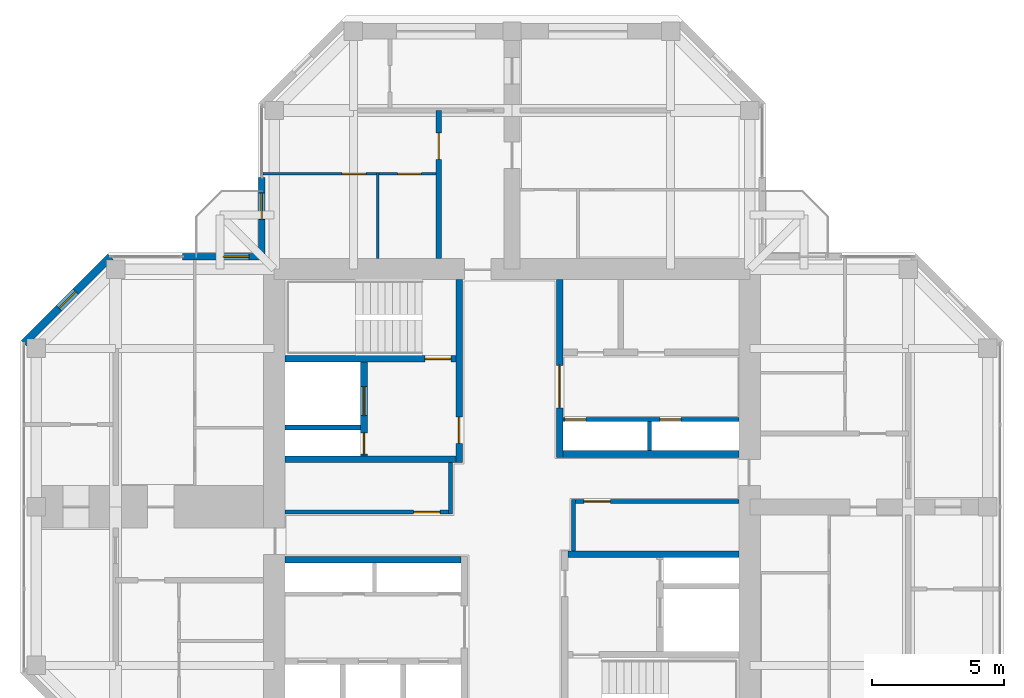
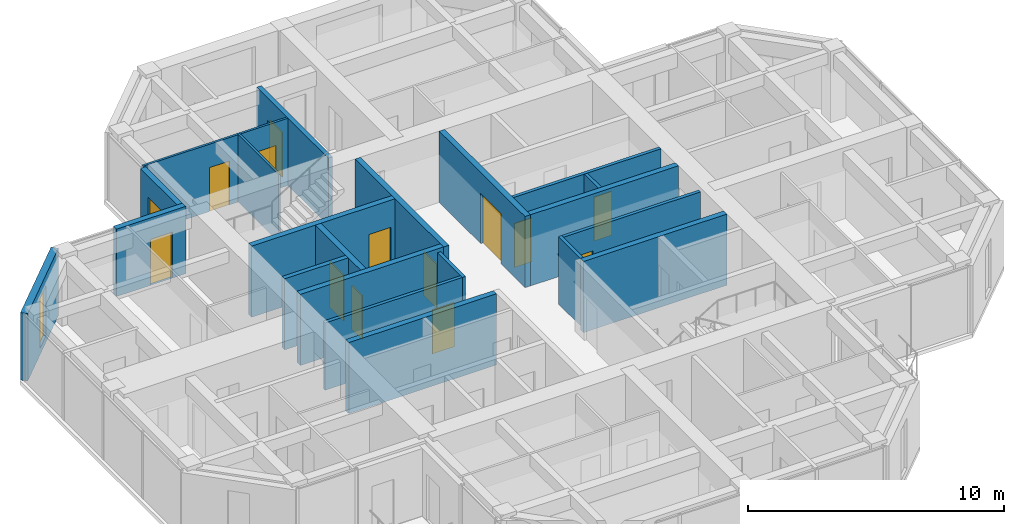
# One storey, part 10 of 13: 21 walls, 14 doors, 1 window, 15 openings.
"""IFC4 building model written with IfcOpenShell, lengths in metres."""

from ifc_helpers import new_model, si_unit, direction, frame, frame_2d, origin, place, context, subcontext, project, spatial, rectangle, hollow_rectangle, extrude, material, layer, layer_set, constituent, constituent_set, type_object, element, fill, save


model = new_model("IFC4")

# Units and contexts
model_context = context("Model", 3, precision=1e-05, world=origin(), true_north=direction((0.0, 1.0)))
body_context = subcontext(model_context, "Body", "Model", "MODEL_VIEW")
ifc_project = project(units=[si_unit("LENGTHUNIT", "METRE"), si_unit("AREAUNIT", "SQUARE_METRE"), si_unit("VOLUMEUNIT", "CUBIC_METRE"), si_unit("PLANEANGLEUNIT", "RADIAN"), si_unit("MASSUNIT", "GRAM", prefix="KILO")], contexts=[model_context])

# Site, building, storey
site_placement = place(None, origin())
site = spatial("IfcSite", under=ifc_project, at=site_placement, CompositionType="ELEMENT")
building_placement = place(site_placement, origin())
building = spatial("IfcBuilding", under=site, at=building_placement, Name="Torre Cruceta", CompositionType="ELEMENT")
storey_placement = place(building_placement, frame((0.0, 0.0, 261.10009765625)))
storey = spatial("IfcBuildingStorey", under=building, at=storey_placement, Name="L67", CompositionType="ELEMENT", Elevation=261.10009765625)

# Wall
ifc_material_1 = material(Name="Water-resistant plasterboard on steel studs", Category="steel")
ifc_layer_1 = layer(ifc_material_1, 0.10009765625)
ifc_layer_set_1 = layer_set([ifc_layer_1], Name="Water-resistant plasterboard on steel studs")
wall_type_1 = type_object("IfcWallType", Name="BATHROOM WALL 100", PredefinedType="PARTITIONING", material=ifc_layer_set_1)
wall_1_placement = place(storey_placement, frame((-5.074951171875, 9.39990234375, 0.0), z_axis=(0.0, 0.0, 1.0), x_axis=(0.0, 1.0, 0.0)))
element("IfcWall", 1, at=wall_1_placement, inside=storey, type_object=wall_type_1, Name="PT4 L67-N-U1LBB", PredefinedType="PARTITIONING", context=body_context, shape_type="SweptSolid", body=[
    extrude(rectangle(XDim=3.25, YDim=0.10009765625, at=frame_2d((1.625, 0.0))), origin(), (0.0, 0.0, 1.0), 3.219970703125),
])

# Wall, openings, doors
wall_2_placement = place(storey_placement, frame((-2.875, 12.60009765625, 0.0), z_axis=(0.0, 0.0, 1.0), x_axis=(-1.0, 0.0, 0.0)))
wall_2 = element("IfcWall", 2, at=wall_2_placement, inside=storey, type_object=wall_type_1, Name="PT4 L67-N-U1LBS", PredefinedType="PARTITIONING", context=body_context, shape_type="SweptSolid", body=[
    extrude(rectangle(XDim=6.554931640625, YDim=0.10009765625, at=frame_2d((3.27734375, 0.0))), origin(), (0.0, 0.0, 1.0), 3.219970703125),
])
opening_1_placement = place(wall_2_placement, frame((0.550048828125, 0.0, 0.0)))
opening_1 = element("IfcOpeningElement", 3, at=opening_1_placement, cuts=wall_2, Name="Opening D7", PredefinedType="OPENING", context=body_context, shape_type="SweptSolid", body=[
    extrude(rectangle(XDim=0.89990234375, YDim=2.10009765625, at=frame_2d((0.449951171875, 1.050048828125))), frame((0.0, 0.06005859375, 0.0), z_axis=(0.0, -1.0, 0.0), x_axis=(1.0, 0.0, 0.0)), (0.0, 0.0, 1.0), 0.1201171875),
])
opening_2_placement = place(wall_2_placement, frame((2.64990234375, 0.0, 0.0)))
opening_2 = element("IfcOpeningElement", 4, at=opening_2_placement, cuts=wall_2, Name="Opening D7", PredefinedType="OPENING", context=body_context, shape_type="SweptSolid", body=[
    extrude(rectangle(XDim=0.89990234375, YDim=2.10009765625, at=frame_2d((0.449951171875, 1.050048828125))), frame((0.0, 0.06005859375, 0.0), z_axis=(0.0, -1.0, 0.0), x_axis=(1.0, 0.0, 0.0)), (0.0, 0.0, 1.0), 0.1201171875),
])
ifc_material_2 = material(Name="Timber door", Category="wood")
door_type_1 = type_object("IfcDoorType", Name="BATHROOM DOOR 900X2100", OperationType="SINGLE_SWING_LEFT", PredefinedType="DOOR", material=ifc_material_2)
door_1_placement = place(opening_1_placement, origin())
door_1 = element("IfcDoor", 5, at=door_1_placement, inside=storey, type_object=door_type_1, Name="D7 L67-N-U1LBS-D1", OperationType="SINGLE_SWING_LEFT", OverallHeight=2.10009765625, OverallWidth=0.89990234375, PredefinedType="DOOR", context=body_context, shape_type="SweptSolid", body=[
    extrude(rectangle(XDim=0.89990234375, YDim=2.10009765625, at=frame_2d((0.449951171875, 1.050048828125))), frame((0.0, 0.02490234375, 0.0), z_axis=(0.0, -1.0, 0.0), x_axis=(1.0, 0.0, 0.0)), (0.0, 0.0, 1.0), 0.050048828125),
])
fill(opening_1, door_1)
door_2_placement = place(opening_2_placement, origin())
door_2 = element("IfcDoor", 6, at=door_2_placement, inside=storey, type_object=door_type_1, Name="D7 L67-N-U1LBS-D2", OperationType="SINGLE_SWING_LEFT", OverallHeight=2.10009765625, OverallWidth=0.89990234375, PredefinedType="DOOR", context=body_context, shape_type="SweptSolid", body=[
    extrude(rectangle(XDim=0.89990234375, YDim=2.10009765625, at=frame_2d((0.449951171875, 1.050048828125))), frame((0.0, 0.02490234375, 0.0), z_axis=(0.0, -1.0, 0.0), x_axis=(1.0, 0.0, 0.0)), (0.0, 0.0, 1.0), 0.050048828125),
])
fill(opening_2, door_2)

# Wall, opening, door
ifc_material_3 = material(Name="Concrete G60 (fck 60 MPa)", Category="concrete")
ifc_layer_2 = layer(ifc_material_3, 0.25)
ifc_layer_set_2 = layer_set([ifc_layer_2], Name="Concrete G60 (fck 60 MPa)")
wall_type_2 = type_object("IfcWallType", Name="CORE INNER WALL 250 G60", PredefinedType="SHEAR", material=ifc_layer_set_2)
wall_3_placement = place(storey_placement, frame((1.800048828125, 1.875, 0.0), z_axis=(0.0, 0.0, 1.0), x_axis=(0.0, 1.0, 0.0)))
wall_3 = element("IfcWall", 7, at=wall_3_placement, inside=storey, type_object=wall_type_2, Name="CW4 L67 NE-CU", PredefinedType="SHEAR", context=body_context, shape_type="SweptSolid", body=[
    extrude(rectangle(XDim=6.72509765625, YDim=0.25, at=frame_2d((3.362548828125, 0.0))), origin(), (0.0, 0.0, 1.0), 3.39990234375),
])
opening_3_placement = place(wall_3_placement, frame((1.875, 0.0, 0.0)))
opening_3 = element("IfcOpeningElement", 8, at=opening_3_placement, cuts=wall_3, Name="Opening D15", PredefinedType="OPENING", context=body_context, shape_type="SweptSolid", body=[
    extrude(rectangle(XDim=1.60009765625, YDim=2.39990234375, at=frame_2d((0.800048828125, 1.199951171875))), frame((0.0, 0.135009765625, 0.0), z_axis=(0.0, -1.0, 0.0), x_axis=(1.0, 0.0, 0.0)), (0.0, 0.0, 1.0), 0.27001953125),
])
ifc_material_4 = material(Name="Steel DX51D", Category="steel")
ifc_constituent_1 = constituent(ifc_material_4, Name="Leaf and frame")
ifc_material_5 = material(Name="Polyester powder coating", Category="paint")
ifc_constituent_2 = constituent(ifc_material_5, Name="Finish")
ifc_constituent_set_1 = constituent_set(constituents=[ifc_constituent_1, ifc_constituent_2], Name="Steel fire door")
door_type_2 = type_object("IfcDoorType", Name="CORE ROOM DOUBLE DOOR 1600X2400", OperationType="DOUBLE_DOOR_SINGLE_SWING", PredefinedType="DOOR", material=ifc_constituent_set_1)
door_3_placement = place(opening_3_placement, frame((1.60009765625, 0.0, 0.0), z_axis=(0.0, 0.0, 1.0), x_axis=(-1.0, 0.0, 0.0)))
door_3 = element("IfcDoor", 9, at=door_3_placement, inside=storey, type_object=door_type_2, Name="D15 L67 NE-LOBBY", OperationType="DOUBLE_DOOR_SINGLE_SWING", OverallHeight=2.39990234375, OverallWidth=1.60009765625, PredefinedType="DOOR", context=body_context, shape_type="SweptSolid", body=[
    extrude(rectangle(XDim=1.60009765625, YDim=2.39990234375, at=frame_2d((0.800048828125, 1.199951171875))), frame((0.0, 0.025146484375, 0.0), z_axis=(0.0, -1.0, 0.0), x_axis=(1.0, 0.0, 0.0)), (0.0, 0.0, 1.0), 0.050048828125),
])
fill(opening_3, door_3)

# Wall
wall_4_placement = place(storey_placement, frame((1.925048828125, 2.0, 0.0), z_axis=(0.0, 0.0, 1.0), x_axis=(1.0, 0.0, 0.0)))
element("IfcWall", 10, at=wall_4_placement, inside=storey, type_object=wall_type_2, Name="CW4 L67 NE-CV", PredefinedType="SHEAR", context=body_context, shape_type="SweptSolid", body=[
    extrude(rectangle(XDim=6.675048828125, YDim=0.25, at=frame_2d((3.33740234375, 0.0))), origin(), (0.0, 0.0, 1.0), 3.39990234375),
])

# Wall, opening, door
wall_5_placement = place(storey_placement, frame((-2.0, 1.675048828125, 0.0), z_axis=(0.0, 0.0, 1.0), x_axis=(0.0, 1.0, 0.0)))
wall_5 = element("IfcWall", 11, at=wall_5_placement, inside=storey, type_object=wall_type_2, Name="CW4 L67 NW-CU", PredefinedType="SHEAR", context=body_context, shape_type="SweptSolid", body=[
    extrude(rectangle(XDim=6.925048828125, YDim=0.25, at=frame_2d((3.46240234375, 0.0))), origin(), (0.0, 0.0, 1.0), 3.39990234375),
])
opening_4_placement = place(wall_5_placement, frame((0.72509765625, 0.0, 0.0)))
opening_4 = element("IfcOpeningElement", 12, at=opening_4_placement, cuts=wall_5, Name="Opening D3", PredefinedType="OPENING", context=body_context, shape_type="SweptSolid", body=[
    extrude(rectangle(XDim=1.0, YDim=2.10009765625, at=frame_2d((0.5, 1.050048828125))), frame((0.0, 0.135009765625, 0.0), z_axis=(0.0, -1.0, 0.0), x_axis=(1.0, 0.0, 0.0)), (0.0, 0.0, 1.0), 0.27001953125),
])
ifc_material_6 = material(Name="Steel DX51D", Category="steel")
ifc_constituent_3 = constituent(ifc_material_6, Name="Leaf and frame")
ifc_material_7 = material(Name="Polyester powder coating", Category="paint")
ifc_constituent_4 = constituent(ifc_material_7, Name="Finish")
ifc_constituent_set_2 = constituent_set(constituents=[ifc_constituent_3, ifc_constituent_4], Name="Steel fire door")
door_type_3 = type_object("IfcDoorType", Name="FIRE DOOR 1000X2100", OperationType="SINGLE_SWING_LEFT", PredefinedType="DOOR", material=ifc_constituent_set_2)
door_4_placement = place(opening_4_placement, origin())
door_4 = element("IfcDoor", 13, at=door_4_placement, inside=storey, type_object=door_type_3, Name="D3 L67 NW-LOBBY", OperationType="SINGLE_SWING_LEFT", OverallHeight=2.10009765625, OverallWidth=1.0, PredefinedType="DOOR", context=body_context, shape_type="SweptSolid", body=[
    extrude(rectangle(XDim=1.0, YDim=2.10009765625, at=frame_2d((0.5, 1.050048828125))), frame((0.0, 0.02490234375, 0.0), z_axis=(0.0, -1.0, 0.0), x_axis=(1.0, 0.0, 0.0)), (0.0, 0.0, 1.0), 0.050048828125),
])
fill(opening_4, door_4)

# Wall
wall_6_placement = place(storey_placement, frame((-2.125, 1.800048828125, 0.0), z_axis=(0.0, 0.0, 1.0), x_axis=(-1.0, 0.0, 0.0)))
element("IfcWall", 14, at=wall_6_placement, inside=storey, type_object=wall_type_2, Name="CW4 L67 NW-CV", PredefinedType="SHEAR", context=body_context, shape_type="SweptSolid", body=[
    extrude(rectangle(XDim=6.47509765625, YDim=0.25, at=frame_2d((3.237548828125, 0.0))), origin(), (0.0, 0.0, 1.0), 3.39990234375),
])

# Wall, opening, door
wall_7_placement = place(storey_placement, frame((-2.125, 5.60009765625, 0.0), z_axis=(0.0, 0.0, 1.0), x_axis=(-1.0, 0.0, 0.0)))
wall_7 = element("IfcWall", 15, at=wall_7_placement, inside=storey, type_object=wall_type_2, Name="CW4 L67 NW-SV", PredefinedType="SHEAR", context=body_context, shape_type="SweptSolid", body=[
    extrude(rectangle(XDim=6.47509765625, YDim=0.25, at=frame_2d((3.237548828125, 0.0))), origin(), (0.0, 0.0, 1.0), 3.39990234375),
])
opening_5_placement = place(wall_7_placement, frame((0.175048828125, 0.0, 0.0)))
opening_5 = element("IfcOpeningElement", 16, at=opening_5_placement, cuts=wall_7, Name="Opening D3", PredefinedType="OPENING", context=body_context, shape_type="SweptSolid", body=[
    extrude(rectangle(XDim=1.0, YDim=2.10009765625, at=frame_2d((0.5, 1.050048828125))), frame((0.0, 0.135009765625, 0.0), z_axis=(0.0, -1.0, 0.0), x_axis=(1.0, 0.0, 0.0)), (0.0, 0.0, 1.0), 0.27001953125),
])
door_5_placement = place(opening_5_placement, frame((1.0, 0.0, 0.0), z_axis=(0.0, 0.0, 1.0), x_axis=(-1.0, 0.0, 0.0)))
door_5 = element("IfcDoor", 17, at=door_5_placement, inside=storey, type_object=door_type_3, Name="D3 L67 NW-STAIR", OperationType="SINGLE_SWING_RIGHT", OverallHeight=2.10009765625, OverallWidth=1.0, PredefinedType="DOOR", context=body_context, shape_type="SweptSolid", body=[
    extrude(rectangle(XDim=1.0, YDim=2.10009765625, at=frame_2d((0.5, 1.050048828125))), frame((0.0, 0.025146484375, 0.0), z_axis=(0.0, -1.0, 0.0), x_axis=(1.0, 0.0, 0.0)), (0.0, 0.0, 1.0), 0.050048828125),
])
fill(opening_5, door_5)

# Wall, openings, doors
wall_8_placement = place(storey_placement, frame((-5.60009765625, 1.925048828125, 0.0), z_axis=(0.0, 0.0, 1.0), x_axis=(0.0, 1.0, 0.0)))
wall_8 = element("IfcWall", 18, at=wall_8_placement, inside=storey, type_object=wall_type_2, Name="CW4 L67 NW-FU", PredefinedType="SHEAR", context=body_context, shape_type="SweptSolid", body=[
    extrude(rectangle(XDim=3.550048828125, YDim=0.25, at=frame_2d((1.77490234375, 0.0))), origin(), (0.0, 0.0, 1.0), 3.39990234375),
])
opening_6_placement = place(wall_8_placement, frame((1.52490234375, 0.0, 0.0)))
opening_6 = element("IfcOpeningElement", 19, at=opening_6_placement, cuts=wall_8, Name="Opening LD1", PredefinedType="OPENING", context=body_context, shape_type="SweptSolid", body=[
    extrude(rectangle(XDim=1.10009765625, YDim=2.199951171875, at=frame_2d((0.550048828125, 1.10009765625))), frame((0.0, 0.135009765625, 0.0), z_axis=(0.0, -1.0, 0.0), x_axis=(1.0, 0.0, 0.0)), (0.0, 0.0, 1.0), 0.27001953125),
])
opening_7_placement = place(wall_8_placement, frame((0.074951171875, 0.0, 0.0)))
opening_7 = element("IfcOpeningElement", 20, at=opening_7_placement, cuts=wall_8, Name="Opening D5", PredefinedType="OPENING", context=body_context, shape_type="SweptSolid", body=[
    extrude(rectangle(XDim=0.800048828125, YDim=2.10009765625, at=frame_2d((0.39990234375, 1.050048828125))), frame((0.0, 0.135009765625, 0.0), z_axis=(0.0, -1.0, 0.0), x_axis=(1.0, 0.0, 0.0)), (0.0, 0.0, 1.0), 0.27001953125),
])
ifc_material_8 = material(Name="Stainless steel 1.4401", Category="steel")
door_type_4 = type_object("IfcDoorType", Name="LIFT LANDING DOOR 1100X2200", OperationType="DOUBLE_DOOR_SLIDING", PredefinedType="DOOR", material=ifc_material_8)
door_6_placement = place(opening_6_placement, origin())
door_6 = element("IfcDoor", 21, at=door_6_placement, inside=storey, type_object=door_type_4, Name="Lift landing door FL1", OperationType="DOUBLE_DOOR_SLIDING", OverallHeight=2.199951171875, OverallWidth=1.10009765625, PredefinedType="DOOR", context=body_context, shape_type="SweptSolid", body=[
    extrude(rectangle(XDim=1.10009765625, YDim=2.199951171875, at=frame_2d((0.550048828125, 1.10009765625))), frame((0.0, 0.02490234375, 0.0), z_axis=(0.0, -1.0, 0.0), x_axis=(1.0, 0.0, 0.0)), (0.0, 0.0, 1.0), 0.050048828125),
])
fill(opening_6, door_6)
ifc_material_9 = material(Name="Steel DX51D", Category="steel")
ifc_constituent_5 = constituent(ifc_material_9, Name="Leaf and frame")
ifc_material_10 = material(Name="Polyester powder coating", Category="paint")
ifc_constituent_6 = constituent(ifc_material_10, Name="Finish")
ifc_constituent_set_3 = constituent_set(constituents=[ifc_constituent_5, ifc_constituent_6], Name="Steel fire door")
door_type_5 = type_object("IfcDoorType", Name="RISER ACCESS DOOR 800X2100", OperationType="SINGLE_SWING_LEFT", PredefinedType="DOOR", material=ifc_constituent_set_3)
door_7_placement = place(opening_7_placement, origin())
door_7 = element("IfcDoor", 22, at=door_7_placement, inside=storey, type_object=door_type_5, Name="D5 L67 NW-RISER", OperationType="SINGLE_SWING_LEFT", OverallHeight=2.10009765625, OverallWidth=0.800048828125, PredefinedType="DOOR", context=body_context, shape_type="SweptSolid", body=[
    extrude(rectangle(XDim=0.800048828125, YDim=2.10009765625, at=frame_2d((0.39990234375, 1.050048828125))), frame((0.0, 0.02490234375, 0.0), z_axis=(0.0, -1.0, 0.0), x_axis=(1.0, 0.0, 0.0)), (0.0, 0.0, 1.0), 0.050048828125),
])
fill(opening_7, door_7)

# Walls
wall_9_placement = place(storey_placement, frame((-1.925048828125, -2.0, 0.0), z_axis=(0.0, 0.0, 1.0), x_axis=(-1.0, 0.0, 0.0)))
element("IfcWall", 23, at=wall_9_placement, inside=storey, type_object=wall_type_2, Name="CW4 L67 SW-CV", PredefinedType="SHEAR", context=body_context, shape_type="SweptSolid", body=[
    extrude(rectangle(XDim=6.675048828125, YDim=0.25, at=frame_2d((3.33740234375, 0.0))), origin(), (0.0, 0.0, 1.0), 3.39990234375),
])
wall_10_placement = place(storey_placement, frame((2.125, -1.800048828125, 0.0), z_axis=(0.0, 0.0, 1.0), x_axis=(1.0, 0.0, 0.0)))
element("IfcWall", 24, at=wall_10_placement, inside=storey, type_object=wall_type_2, Name="CW4 L67 SE-CV", PredefinedType="SHEAR", context=body_context, shape_type="SweptSolid", body=[
    extrude(rectangle(XDim=6.47509765625, YDim=0.25, at=frame_2d((3.237548828125, 0.0))), origin(), (0.0, 0.0, 1.0), 3.39990234375),
])

# Wall, opening, door
ifc_material_11 = material(Name="Concrete G25 (fck 25 MPa)", Category="concrete")
ifc_layer_3 = layer(ifc_material_11, 0.199951171875)
ifc_layer_set_3 = layer_set([ifc_layer_3], Name="Concrete G25 (fck 25 MPa)")
wall_type_3 = type_object("IfcWallType", Name="CORRIDOR WALL 200", PredefinedType="SOLIDWALL", material=ifc_layer_set_3)
wall_11_placement = place(storey_placement, frame((-2.77490234375, 9.39990234375, 0.0), z_axis=(0.0, 0.0, 1.0), x_axis=(0.0, 1.0, 0.0)))
wall_11 = element("IfcWall", 25, at=wall_11_placement, inside=storey, type_object=wall_type_3, Name="PT3 L67-N-CL", PredefinedType="SOLIDWALL", context=body_context, shape_type="SweptSolid", body=[
    extrude(rectangle(XDim=5.60009765625, YDim=0.199951171875, at=frame_2d((2.800048828125, 0.0))), origin(), (0.0, 0.0, 1.0), 3.219970703125),
])
opening_8_placement = place(wall_11_placement, frame((3.75, 0.0, 0.0)))
opening_8 = element("IfcOpeningElement", 26, at=opening_8_placement, cuts=wall_11, Name="Opening D6", PredefinedType="OPENING", context=body_context, shape_type="SweptSolid", body=[
    extrude(rectangle(XDim=1.0, YDim=2.14990234375, at=frame_2d((0.5, 1.074951171875))), frame((0.0, 0.10986328125, 0.0), z_axis=(0.0, -1.0, 0.0), x_axis=(1.0, 0.0, 0.0)), (0.0, 0.0, 1.0), 0.219970703125),
])
ifc_material_12 = material(Name="Timber fire door", Category="wood")
door_type_6 = type_object("IfcDoorType", Name="UNIT ENTRANCE DOOR 1000X2150", OperationType="SINGLE_SWING_LEFT", PredefinedType="DOOR", material=ifc_material_12)
door_8_placement = place(opening_8_placement, origin())
door_8 = element("IfcDoor", 27, at=door_8_placement, inside=storey, type_object=door_type_6, Name="D6 L67-N-CL-D1", OperationType="SINGLE_SWING_LEFT", OverallHeight=2.14990234375, OverallWidth=1.0, PredefinedType="DOOR", context=body_context, shape_type="SweptSolid", body=[
    extrude(rectangle(XDim=1.0, YDim=2.14990234375, at=frame_2d((0.5, 1.074951171875))), frame((0.0, 0.02490234375, 0.0), z_axis=(0.0, -1.0, 0.0), x_axis=(1.0, 0.0, 0.0)), (0.0, 0.0, 1.0), 0.050048828125),
])
fill(opening_8, door_8)

# Wall, opening, window
ifc_material_13 = material(Name="Concrete G30 (fck 30 MPa)", Category="concrete")
ifc_layer_4 = layer(ifc_material_13, 0.300048828125)
ifc_layer_set_4 = layer_set([ifc_layer_4], Name="Concrete G30 (fck 30 MPa)")
wall_type_4 = type_object("IfcWallType", Name="EXPOSED CONCRETE FACADE WALL 300", PredefinedType="SOLIDWALL", material=ifc_layer_set_4)
wall_12_placement = place(storey_placement, frame((-15.194580078125, 9.469970703125, 0.0), z_axis=(0.0, 0.0, 1.0), x_axis=(-0.707106781187, -0.707106781187, 0.0)))
wall_12 = element("IfcWall", 28, at=wall_12_placement, inside=storey, type_object=wall_type_4, Name="EW1 facade wall L67 W chamfer 11", PredefinedType="SOLIDWALL", context=body_context, shape_type="SweptSolid", body=[
    extrude(rectangle(XDim=4.632080078125, YDim=0.300048828125, at=frame_2d((2.31591796875, 0.0))), origin(), (0.0, 0.0, 1.0), 3.219970703125),
])
opening_9_placement = place(wall_12_placement, frame((1.865966796875, 0.0, 0.300048828125)))
opening_9 = element("IfcOpeningElement", 29, at=opening_9_placement, cuts=wall_12, Name="Opening WN5", PredefinedType="OPENING", context=body_context, shape_type="SweptSolid", body=[
    extrude(rectangle(XDim=0.89990234375, YDim=2.39990234375, at=frame_2d((0.449951171875, 1.199951171875))), frame((0.0, 0.159912109375, 0.0), z_axis=(0.0, -1.0, 0.0), x_axis=(1.0, 0.0, 0.0)), (0.0, 0.0, 1.0), 0.320068359375),
])
ifc_material_14 = material(Name="Aluminium window frame", Category="aluminium")
ifc_constituent_7 = constituent(ifc_material_14, Name="Frame")
ifc_material_15 = material(Name="Laminated insulating glass unit, low-iron clear", Category="glass")
ifc_constituent_8 = constituent(ifc_material_15, Name="Glazing")
ifc_constituent_set_4 = constituent_set(constituents=[ifc_constituent_7, ifc_constituent_8], Name="Aluminium window")
window_type = type_object("IfcWindowType", Name="CHAMFER SLOT WINDOW 900X2400", PartitioningType="SINGLE_PANEL", PredefinedType="WINDOW", material=ifc_constituent_set_4)
window_placement = place(opening_9_placement, origin())
window = element("IfcWindow", 30, at=window_placement, inside=storey, type_object=window_type, Name="WN5 L67 W 1", OverallHeight=2.39990234375, OverallWidth=0.89990234375, PartitioningType="SINGLE_PANEL", PredefinedType="WINDOW", context=body_context, shape_type="SweptSolid", body=[
    extrude(hollow_rectangle(XDim=0.89990234375, YDim=2.39990234375, WallThickness=0.06005859375, at=frame_2d((0.449951171875, 1.199951171875))), frame((0.0, 0.030029296875, 0.0), z_axis=(0.0, -1.0, 0.0), x_axis=(1.0, 0.0, 0.0)), (0.0, 0.0, 1.0), 0.06005859375),
    extrude(rectangle(XDim=0.77880859375, YDim=2.27880859375, at=frame_2d((0.449951171875, 1.199951171875))), frame((0.0, 0.030029296875, 0.0), z_axis=(0.0, -1.0, 0.0), x_axis=(1.0, 0.0, 0.0)), (0.0, 0.0, 1.0), 0.06005859375),
])
fill(opening_9, window)

# Wall
ifc_material_16 = material(Name="Concrete G35 (fck 35 MPa)", Category="concrete")
ifc_layer_5 = layer(ifc_material_16, 0.199951171875)
ifc_layer_set_5 = layer_set([ifc_layer_5], Name="Concrete G35 (fck 35 MPa)")
wall_type_5 = type_object("IfcWallType", Name="LIFT SHAFT WALL 200", PredefinedType="PARTITIONING", material=ifc_layer_set_5)
wall_13_placement = place(storey_placement, frame((-5.72509765625, 3.0, 0.0), z_axis=(0.0, 0.0, 1.0), x_axis=(-1.0, 0.0, 0.0)))
element("IfcWall", 31, at=wall_13_placement, inside=storey, type_object=wall_type_5, Name="SW1 L67 NW-FR", PredefinedType="PARTITIONING", context=body_context, shape_type="SweptSolid", body=[
    extrude(rectangle(XDim=2.875, YDim=0.199951171875, at=frame_2d((1.4375, 0.0))), origin(), (0.0, 0.0, 1.0), 3.39990234375),
])

# Wall, opening, door
ifc_material_17 = material(Name="Plasterboard on steel studs", Category="steel")
ifc_layer_6 = layer(ifc_material_17, 0.14990234375)
ifc_layer_set_6 = layer_set([ifc_layer_6], Name="Plasterboard on steel studs")
wall_type_6 = type_object("IfcWallType", Name="PARTITION 150", PredefinedType="PARTITIONING", material=ifc_layer_set_6)
wall_14_placement = place(storey_placement, frame((2.324951171875, 0.199951171875, 0.0), z_axis=(0.0, 0.0, 1.0), x_axis=(1.0, 0.0, 0.0)))
wall_14 = element("IfcWall", 32, at=wall_14_placement, inside=storey, type_object=wall_type_6, Name="PT1 L67-CORE-LEGE-S-W1", PredefinedType="PARTITIONING", context=body_context, shape_type="SweptSolid", body=[
    extrude(rectangle(XDim=6.275146484375, YDim=0.14990234375, at=frame_2d((3.1376953125, 0.0))), origin(), (0.0, 0.0, 1.0), 3.219970703125),
])
opening_10_placement = place(wall_14_placement, frame((0.39990234375, 0.0, 0.0)))
opening_10 = element("IfcOpeningElement", 33, at=opening_10_placement, cuts=wall_14, Name="Opening D3", PredefinedType="OPENING", context=body_context, shape_type="SweptSolid", body=[
    extrude(rectangle(XDim=1.0, YDim=2.10009765625, at=frame_2d((0.5, 1.050048828125))), frame((0.0, 0.0849609375, 0.0), z_axis=(0.0, -1.0, 0.0), x_axis=(1.0, 0.0, 0.0)), (0.0, 0.0, 1.0), 0.169921875),
])
door_9_placement = place(opening_10_placement, frame((1.0, 0.0, 0.0), z_axis=(0.0, 0.0, 1.0), x_axis=(-1.0, 0.0, 0.0)))
door_9 = element("IfcDoor", 34, at=door_9_placement, inside=storey, type_object=door_type_3, Name="D3 L67-CORE-LEGE-S-W1-D1", OperationType="SINGLE_SWING_RIGHT", OverallHeight=2.10009765625, OverallWidth=1.0, PredefinedType="DOOR", context=body_context, shape_type="SweptSolid", body=[
    extrude(rectangle(XDim=1.0, YDim=2.10009765625, at=frame_2d((0.5, 1.050048828125))), frame((0.0, 0.025146484375, 0.0), z_axis=(0.0, -1.0, 0.0), x_axis=(1.0, 0.0, 0.0)), (0.0, 0.0, 1.0), 0.050048828125),
])
fill(opening_10, door_9)

# Wall
wall_15_placement = place(storey_placement, frame((2.324951171875, -1.675048828125, 0.0), z_axis=(0.0, 0.0, 1.0), x_axis=(0.0, 1.0, 0.0)))
element("IfcWall", 35, at=wall_15_placement, inside=storey, type_object=wall_type_6, Name="PT1 L67-CORE-LEGE-S-W2", PredefinedType="PARTITIONING", context=body_context, shape_type="SweptSolid", body=[
    extrude(rectangle(XDim=1.949951171875, YDim=0.14990234375, at=frame_2d((0.97509765625, 0.0))), origin(), (0.0, 0.0, 1.0), 3.219970703125),
])

# Wall, opening, door
wall_16_placement = place(storey_placement, frame((-2.324951171875, -0.199951171875, 0.0), z_axis=(0.0, 0.0, 1.0), x_axis=(-1.0, 0.0, 0.0)))
wall_16 = element("IfcWall", 36, at=wall_16_placement, inside=storey, type_object=wall_type_6, Name="PT1 L67-CORE-LEGW-N-W1", PredefinedType="PARTITIONING", context=body_context, shape_type="SweptSolid", body=[
    extrude(rectangle(XDim=6.275146484375, YDim=0.14990234375, at=frame_2d((3.1376953125, 0.0))), origin(), (0.0, 0.0, 1.0), 3.219970703125),
])
opening_11_placement = place(wall_16_placement, frame((0.39990234375, 0.0, 0.0)))
opening_11 = element("IfcOpeningElement", 37, at=opening_11_placement, cuts=wall_16, Name="Opening D3", PredefinedType="OPENING", context=body_context, shape_type="SweptSolid", body=[
    extrude(rectangle(XDim=1.0, YDim=2.10009765625, at=frame_2d((0.5, 1.050048828125))), frame((0.0, 0.0849609375, 0.0), z_axis=(0.0, -1.0, 0.0), x_axis=(1.0, 0.0, 0.0)), (0.0, 0.0, 1.0), 0.169921875),
])
door_10_placement = place(opening_11_placement, frame((1.0, 0.0, 0.0), z_axis=(0.0, 0.0, 1.0), x_axis=(-1.0, 0.0, 0.0)))
door_10 = element("IfcDoor", 38, at=door_10_placement, inside=storey, type_object=door_type_3, Name="D3 L67-CORE-LEGW-N-W1-D1", OperationType="SINGLE_SWING_RIGHT", OverallHeight=2.10009765625, OverallWidth=1.0, PredefinedType="DOOR", context=body_context, shape_type="SweptSolid", body=[
    extrude(rectangle(XDim=1.0, YDim=2.10009765625, at=frame_2d((0.5, 1.050048828125))), frame((0.0, 0.025146484375, 0.0), z_axis=(0.0, -1.0, 0.0), x_axis=(1.0, 0.0, 0.0)), (0.0, 0.0, 1.0), 0.050048828125),
])
fill(opening_11, door_10)

# Wall
wall_17_placement = place(storey_placement, frame((-2.324951171875, 1.675048828125, 0.0), z_axis=(0.0, 0.0, 1.0), x_axis=(0.0, -1.0, 0.0)))
element("IfcWall", 39, at=wall_17_placement, inside=storey, type_object=wall_type_6, Name="PT1 L67-CORE-LEGW-N-W2", PredefinedType="PARTITIONING", context=body_context, shape_type="SweptSolid", body=[
    extrude(rectangle(XDim=1.949951171875, YDim=0.14990234375, at=frame_2d((0.97509765625, 0.0))), origin(), (0.0, 0.0, 1.0), 3.219970703125),
])

# Wall, openings, doors
ifc_material_18 = material(Name="Concrete block masonry", Category="masonry")
ifc_layer_7 = layer(ifc_material_18, 0.14990234375)
ifc_layer_set_7 = layer_set([ifc_layer_7], Name="Concrete block masonry")
wall_type_7 = type_object("IfcWallType", Name="RISER WALL 150", PredefinedType="PARTITIONING", material=ifc_layer_set_7)
wall_18_placement = place(storey_placement, frame((1.925048828125, 3.300048828125, 0.0), z_axis=(0.0, 0.0, 1.0), x_axis=(1.0, 0.0, 0.0)))
wall_18 = element("IfcWall", 40, at=wall_18_placement, inside=storey, type_object=wall_type_7, Name="SW7 L67 NE-RV", PredefinedType="PARTITIONING", context=body_context, shape_type="SweptSolid", body=[
    extrude(rectangle(XDim=6.675048828125, YDim=0.14990234375, at=frame_2d((3.33740234375, 0.0))), origin(), (0.0, 0.0, 1.0), 3.39990234375),
])
opening_12_placement = place(wall_18_placement, frame((0.074951171875, 0.0, 0.0)))
opening_12 = element("IfcOpeningElement", 41, at=opening_12_placement, cuts=wall_18, Name="Opening D5", PredefinedType="OPENING", context=body_context, shape_type="SweptSolid", body=[
    extrude(rectangle(XDim=0.800048828125, YDim=2.10009765625, at=frame_2d((0.39990234375, 1.050048828125))), frame((0.0, 0.0849609375, 0.0), z_axis=(0.0, -1.0, 0.0), x_axis=(1.0, 0.0, 0.0)), (0.0, 0.0, 1.0), 0.169921875),
])
opening_13_placement = place(wall_18_placement, frame((3.675048828125, 0.0, 0.0)))
opening_13 = element("IfcOpeningElement", 42, at=opening_13_placement, cuts=wall_18, Name="Opening D5", PredefinedType="OPENING", context=body_context, shape_type="SweptSolid", body=[
    extrude(rectangle(XDim=0.800048828125, YDim=2.10009765625, at=frame_2d((0.39990234375, 1.050048828125))), frame((0.0, 0.0849609375, 0.0), z_axis=(0.0, -1.0, 0.0), x_axis=(1.0, 0.0, 0.0)), (0.0, 0.0, 1.0), 0.169921875),
])
door_11_placement = place(opening_12_placement, frame((0.800048828125, 0.0, 0.0), z_axis=(0.0, 0.0, 1.0), x_axis=(-1.0, 0.0, 0.0)))
door_11 = element("IfcDoor", 43, at=door_11_placement, inside=storey, type_object=door_type_5, Name="D5 L67 NE-RISER1", OperationType="SINGLE_SWING_RIGHT", OverallHeight=2.10009765625, OverallWidth=0.800048828125, PredefinedType="DOOR", context=body_context, shape_type="SweptSolid", body=[
    extrude(rectangle(XDim=0.800048828125, YDim=2.10009765625, at=frame_2d((0.400146484375, 1.050048828125))), frame((0.0, 0.025146484375, 0.0), z_axis=(0.0, -1.0, 0.0), x_axis=(1.0, 0.0, 0.0)), (0.0, 0.0, 1.0), 0.050048828125),
])
fill(opening_12, door_11)
door_12_placement = place(opening_13_placement, frame((0.800048828125, 0.0, 0.0), z_axis=(0.0, 0.0, 1.0), x_axis=(-1.0, 0.0, 0.0)))
door_12 = element("IfcDoor", 44, at=door_12_placement, inside=storey, type_object=door_type_5, Name="D5 L67 NE-RISER2", OperationType="SINGLE_SWING_RIGHT", OverallHeight=2.10009765625, OverallWidth=0.800048828125, PredefinedType="DOOR", context=body_context, shape_type="SweptSolid", body=[
    extrude(rectangle(XDim=0.800048828125, YDim=2.10009765625, at=frame_2d((0.400146484375, 1.050048828125))), frame((0.0, 0.025146484375, 0.0), z_axis=(0.0, -1.0, 0.0), x_axis=(1.0, 0.0, 0.0)), (0.0, 0.0, 1.0), 0.050048828125),
])
fill(opening_13, door_12)

# Wall
wall_19_placement = place(storey_placement, frame((5.199951171875, 2.125, 0.0), z_axis=(0.0, 0.0, 1.0), x_axis=(0.0, 1.0, 0.0)))
element("IfcWall", 45, at=wall_19_placement, inside=storey, type_object=wall_type_7, Name="SW7 L67 NE-RU", PredefinedType="PARTITIONING", context=body_context, shape_type="SweptSolid", body=[
    extrude(rectangle(XDim=1.10009765625, YDim=0.14990234375, at=frame_2d((0.550048828125, 0.0))), origin(), (0.0, 0.0, 1.0), 3.39990234375),
])

# Wall, opening, door
ifc_material_19 = material(Name="Concrete G30 (fck 30 MPa)", Category="concrete")
ifc_layer_8 = layer(ifc_material_19, 0.25)
ifc_layer_set_8 = layer_set([ifc_layer_8], Name="Concrete G30 (fck 30 MPa)")
wall_type_8 = type_object("IfcWallType", Name="WINTER GARDEN WALL 250", PredefinedType="SOLIDWALL", material=ifc_layer_set_8)
wall_20_placement = place(storey_placement, frame((-9.469970703125, 12.469970703125, 0.0), z_axis=(0.0, 0.0, 1.0), x_axis=(0.0, -1.0, 0.0)))
wall_20 = element("IfcWall", 46, at=wall_20_placement, inside=storey, type_object=wall_type_8, Name="EW2 winter garden wall L67 09", PredefinedType="SOLIDWALL", context=body_context, shape_type="SweptSolid", body=[
    extrude(rectangle(XDim=2.875, YDim=0.25, at=frame_2d((1.4375, 0.0))), origin(), (0.0, 0.0, 1.0), 3.219970703125),
])
opening_14_placement = place(wall_20_placement, frame((0.60009765625, 0.0, 0.0)))
opening_14 = element("IfcOpeningElement", 47, at=opening_14_placement, cuts=wall_20, Name="Opening D10", PredefinedType="OPENING", context=body_context, shape_type="SweptSolid", body=[
    extrude(rectangle(XDim=1.0, YDim=2.199951171875, at=frame_2d((0.5, 1.10009765625))), frame((0.0, 0.135009765625, 0.0), z_axis=(0.0, -1.0, 0.0), x_axis=(1.0, 0.0, 0.0)), (0.0, 0.0, 1.0), 0.27001953125),
])
ifc_material_20 = material(Name="Aluminium door frame", Category="aluminium")
ifc_constituent_9 = constituent(ifc_material_20, Name="Frame")
ifc_material_21 = material(Name="Laminated safety glass", Category="glass")
ifc_constituent_10 = constituent(ifc_material_21, Name="Glazing")
ifc_constituent_set_5 = constituent_set(constituents=[ifc_constituent_9, ifc_constituent_10], Name="Aluminium glazed door")
door_type_7 = type_object("IfcDoorType", Name="BALCONY DOOR 1000X2200", OperationType="SINGLE_SWING_RIGHT", PredefinedType="DOOR", material=ifc_constituent_set_5)
door_13_placement = place(opening_14_placement, origin())
door_13 = element("IfcDoor", 48, at=door_13_placement, inside=storey, type_object=door_type_7, Name="D10 balcony door L67 09", OperationType="SINGLE_SWING_LEFT", OverallHeight=2.199951171875, OverallWidth=1.0, PredefinedType="DOOR", context=body_context, shape_type="SweptSolid", body=[
    extrude(hollow_rectangle(XDim=1.0, YDim=2.199951171875, WallThickness=0.06005859375, at=frame_2d((0.5, 1.10009765625))), frame((0.0, 0.02490234375, 0.0), z_axis=(0.0, -1.0, 0.0), x_axis=(1.0, 0.0, 0.0)), (0.0, 0.0, 1.0), 0.050048828125),
    extrude(rectangle(XDim=0.87890625, YDim=2.078857421875, at=frame_2d((0.5, 1.10009765625))), frame((0.0, 0.02490234375, 0.0), z_axis=(0.0, -1.0, 0.0), x_axis=(1.0, 0.0, 0.0)), (0.0, 0.0, 1.0), 0.050048828125),
])
fill(opening_14, door_13)

wall_21_placement = place(storey_placement, frame((-9.344970703125, 9.469970703125, 0.0), z_axis=(0.0, 0.0, 1.0), x_axis=(-1.0, 0.0, 0.0)))
wall_21 = element("IfcWall", 49, at=wall_21_placement, inside=storey, type_object=wall_type_8, Name="EW2 winter garden wall L67 10", PredefinedType="SOLIDWALL", context=body_context, shape_type="SweptSolid", body=[
    extrude(rectangle(XDim=3.125, YDim=0.25, at=frame_2d((1.5625, 0.0))), origin(), (0.0, 0.0, 1.0), 3.219970703125),
])
opening_15_placement = place(wall_21_placement, frame((0.60009765625, 0.0, 0.0)))
opening_15 = element("IfcOpeningElement", 50, at=opening_15_placement, cuts=wall_21, Name="Opening D10", PredefinedType="OPENING", context=body_context, shape_type="SweptSolid", body=[
    extrude(rectangle(XDim=1.0, YDim=2.199951171875, at=frame_2d((0.5, 1.10009765625))), frame((0.0, 0.135009765625, 0.0), z_axis=(0.0, -1.0, 0.0), x_axis=(1.0, 0.0, 0.0)), (0.0, 0.0, 1.0), 0.27001953125),
])
door_14_placement = place(opening_15_placement, origin())
door_14 = element("IfcDoor", 51, at=door_14_placement, inside=storey, type_object=door_type_7, Name="D10 balcony door L67 10", OperationType="SINGLE_SWING_LEFT", OverallHeight=2.199951171875, OverallWidth=1.0, PredefinedType="DOOR", context=body_context, shape_type="SweptSolid", body=[
    extrude(hollow_rectangle(XDim=1.0, YDim=2.199951171875, WallThickness=0.06005859375, at=frame_2d((0.5, 1.10009765625))), frame((0.0, 0.02490234375, 0.0), z_axis=(0.0, -1.0, 0.0), x_axis=(1.0, 0.0, 0.0)), (0.0, 0.0, 1.0), 0.050048828125),
    extrude(rectangle(XDim=0.87890625, YDim=2.078857421875, at=frame_2d((0.5, 1.10009765625))), frame((0.0, 0.02490234375, 0.0), z_axis=(0.0, -1.0, 0.0), x_axis=(1.0, 0.0, 0.0)), (0.0, 0.0, 1.0), 0.050048828125),
])
fill(opening_15, door_14)

save(model, "model.ifc")
